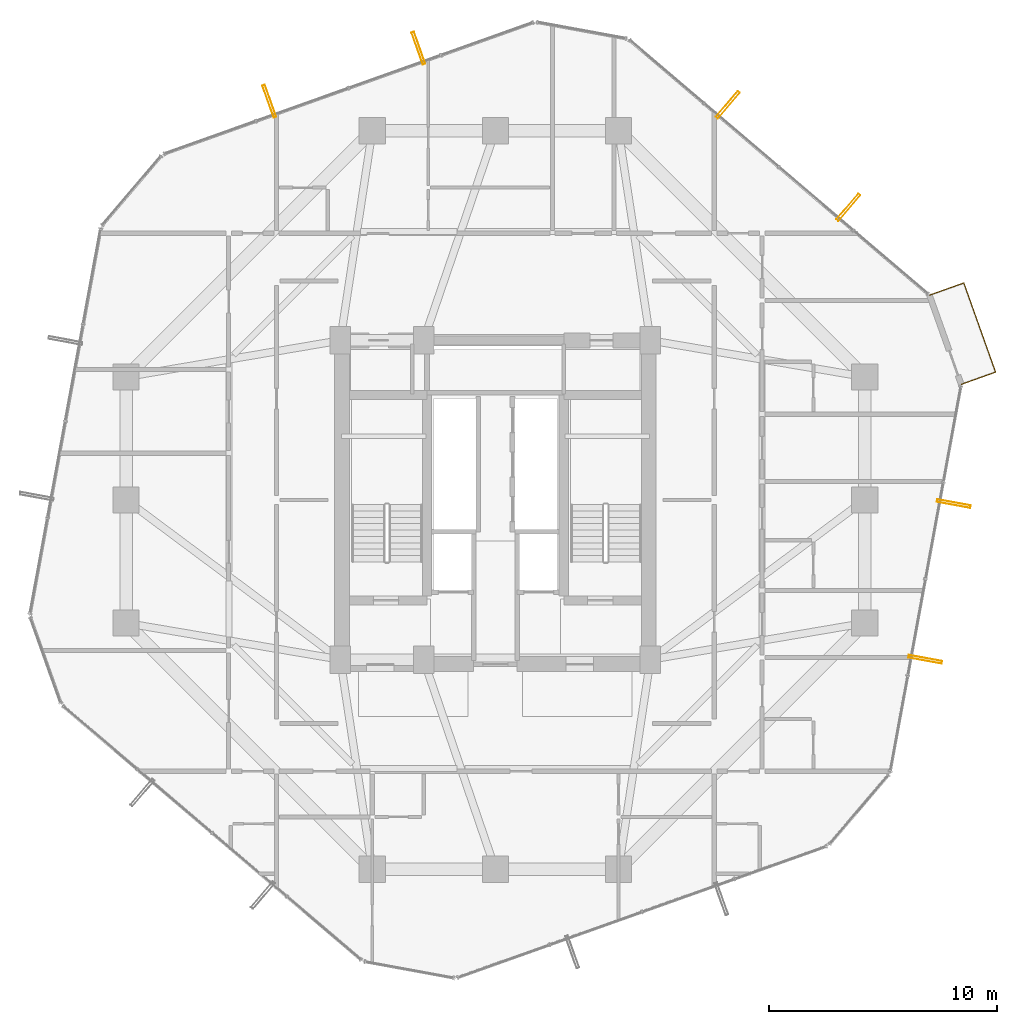
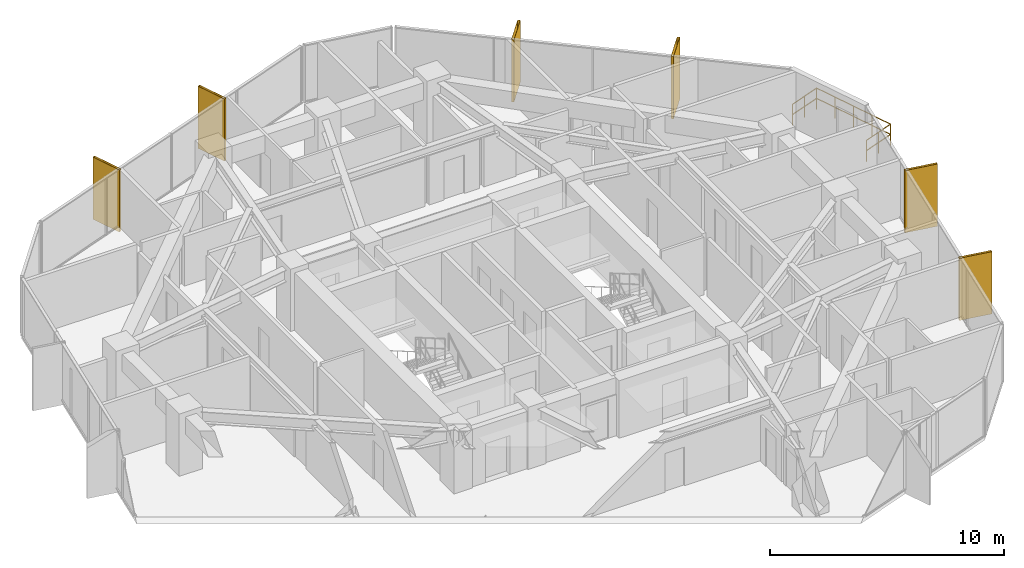
# One storey, part 33 of 33: 6 shading devices, 1 railing.
"""IFC4 building model written with IfcOpenShell, lengths in metres."""

from ifc_helpers import new_model, si_unit, direction, frame, origin, origin_2d, place, context, subcontext, project, spatial, hollow_rectangle, circle, extrude, material, material_profile, profile_set, type_object, element, save


model = new_model("IFC4")

# Units and contexts
model_context = context("Model", 3, precision=1e-05, world=origin(), true_north=direction((0.0, 1.0)))
body_context = subcontext(model_context, "Body", "Model", "MODEL_VIEW")
ifc_project = project(units=[si_unit("LENGTHUNIT", "METRE"), si_unit("AREAUNIT", "SQUARE_METRE"), si_unit("VOLUMEUNIT", "CUBIC_METRE"), si_unit("PLANEANGLEUNIT", "RADIAN"), si_unit("MASSUNIT", "GRAM", prefix="KILO")], contexts=[model_context])

# Site, building, storey
site_placement = place(None, origin())
site = spatial("IfcSite", under=ifc_project, at=site_placement, CompositionType="ELEMENT")
building_placement = place(site_placement, origin())
building = spatial("IfcBuilding", under=site, at=building_placement, Name="Veraguas Prism Commons", CompositionType="ELEMENT")
storey_placement = place(building_placement, frame((0.0, 0.0, 92.699951171875)))
storey = spatial("IfcBuildingStorey", under=building, at=storey_placement, Name="L25", CompositionType="ELEMENT", Elevation=92.699951171875)

# Shading devices
ifc_material_1 = material(Name="Anodised aluminium EN AW-6063 T6", Category="aluminium")
ifc_material_profile = material_profile(ifc_material_1, hollow_rectangle(XDim=0.1201171875, YDim=1.489990234375, WallThickness=0.006103515625, at=origin_2d()), Name="FIN120X1490X6")
ifc_profile_set = profile_set([ifc_material_profile], Name="Anodised aluminium EN AW-6063 T6")
shading_device_type = type_object("IfcShadingDeviceType", Name="Deep Pale-Metal Vertical Solar Fin 120x1490", PredefinedType="USERDEFINED", material=ifc_profile_set)
for number, where, z_axis, x_axis, name in (
    (1, (39.480712890625, 36.834716796875, -0.22998046875), (0.0, 0.0, 1.0), (-0.761540569897, 0.648117242789, 0.0), "Vertical Pale-Metal Solar Fin L25-F1A"),
    (2, (34.1943359375, 41.333740234375, -0.22998046875), (0.0, 0.0, 1.0), (-0.761540569897, 0.648117242789, 0.0), "Vertical Pale-Metal Solar Fin L25-F1B"),
    (3, (20.625244140625, 43.82421875, -0.22998046875), (0.0, 0.0, 1.0), (-0.942056281835, -0.335454858149, 0.0), "Vertical Pale-Metal Solar Fin L25-F2A"),
    (4, (14.085693359375, 41.49560546875, -0.22998046875), (0.0, 0.0, 1.0), (-0.942056281835, -0.335454858149, 0.0), "Vertical Pale-Metal Solar Fin L25-F2B"),
    (5, (42.85546875, 17.010498046875, -0.22998046875), (0.0, 0.0, 1.0), (0.180520861906, 0.983571155747, 0.0), "Vertical Pale-Metal Solar Fin L25-F6A"),
    (6, (44.108642578125, 23.838134765625, -0.22998046875), (0.0, 0.0, 1.0), (0.180520861906, 0.983571155747, 0.0), "Vertical Pale-Metal Solar Fin L25-F6B"),
):
    element("IfcShadingDevice", number, at=place(storey_placement, frame(where, z_axis=z_axis, x_axis=x_axis)), inside=storey, type_object=shading_device_type, Name=name, ObjectType="FIN", PredefinedType="USERDEFINED", context=body_context, shape_type="SweptSolid", body=[
        extrude(hollow_rectangle(XDim=0.1201171875, YDim=1.489990234375, WallThickness=0.006103515625, at=origin_2d()), origin(), (0.0, 0.0, 1.0), 3.25),
    ])

# Railing
ifc_material_2 = material(Name="Stainless steel AISI 316", Category="steel")
railing_type = type_object("IfcRailingType", Name="Loggia and Sky Pool Glazed Balustrade 1120", PredefinedType="BALUSTRADE", material=ifc_material_2)
railing_placement = place(storey_placement, frame((44.43359375, 29.07177734375, 0.0)))
element("IfcRailing", 7, at=railing_placement, inside=storey, type_object=railing_type, Name="Recessed Corner Loggia L25-C1 Guard", PredefinedType="BALUSTRADE", context=body_context, shape_type="SweptSolid", body=[
    extrude(circle(Radius=0.02392578125, at=origin_2d()), frame((0.0, 0.0, 1.09619140625), z_axis=(0.942079752962, 0.335388936996, 0.0), x_axis=(-0.335388936996, 0.942079752962, 0.0)), (0.0, 0.0, 1.0), 1.60009765625),
    extrude(circle(Radius=0.02392578125, at=origin_2d()), frame((0.0, 0.0, 0.56005859375), z_axis=(0.942079752962, 0.335388936996, 0.0), x_axis=(-0.335388936996, 0.942079752962, 0.0)), (0.0, 0.0, 1.0), 1.60009765625),
    extrude(circle(Radius=0.02392578125, at=origin_2d()), frame((1.50732421875, 0.53662109375, 1.09619140625), z_axis=(-0.335420168688, 0.942068633613, 0.0), x_axis=(-0.942068633613, -0.335420168688, 0.0)), (0.0, 0.0, 1.0), 4.153076171875),
    extrude(circle(Radius=0.02392578125, at=origin_2d()), frame((1.50732421875, 0.53662109375, 0.56005859375), z_axis=(-0.335420168688, 0.942068633613, 0.0), x_axis=(-0.942068633613, -0.335420168688, 0.0)), (0.0, 0.0, 1.0), 4.153076171875),
    extrude(circle(Radius=0.02392578125, at=origin_2d()), frame((0.1142578125, 4.44921875, 1.09619140625), z_axis=(-0.942079752962, -0.335388936996, 0.0), x_axis=(0.335388936996, -0.942079752962, 0.0)), (0.0, 0.0, 1.0), 1.60009765625),
    extrude(circle(Radius=0.02392578125, at=origin_2d()), frame((0.1142578125, 4.44921875, 0.56005859375), z_axis=(-0.942079752962, -0.335388936996, 0.0), x_axis=(0.335388936996, -0.942079752962, 0.0)), (0.0, 0.0, 1.0), 1.60009765625),
    extrude(circle(Radius=0.02099609375, at=origin_2d()), origin(), (0.0, 0.0, 1.0), 1.072021484375),
    extrude(circle(Radius=0.02099609375, at=origin_2d()), frame((0.753662109375, 0.268310546875, 0.0)), (0.0, 0.0, 1.0), 1.072021484375),
    extrude(circle(Radius=0.02099609375, at=origin_2d()), frame((1.50732421875, 0.53662109375, 0.0)), (0.0, 0.0, 1.0), 1.072021484375),
    extrude(circle(Radius=0.02099609375, at=origin_2d()), frame((1.1591796875, 1.5146484375, 0.0)), (0.0, 0.0, 1.0), 1.072021484375),
    extrude(circle(Radius=0.02099609375, at=origin_2d()), frame((0.810791015625, 2.492919921875, 0.0)), (0.0, 0.0, 1.0), 1.072021484375),
    extrude(circle(Radius=0.02099609375, at=origin_2d()), frame((0.46240234375, 3.47119140625, 0.0)), (0.0, 0.0, 1.0), 1.072021484375),
    extrude(circle(Radius=0.02099609375, at=origin_2d()), frame((0.1142578125, 4.44921875, 0.0)), (0.0, 0.0, 1.0), 1.072021484375),
    extrude(circle(Radius=0.02099609375, at=origin_2d()), frame((-0.639404296875, 4.180908203125, 0.0)), (0.0, 0.0, 1.0), 1.072021484375),
    extrude(circle(Radius=0.02099609375, at=origin_2d()), frame((-1.39306640625, 3.91259765625, 0.0)), (0.0, 0.0, 1.0), 1.072021484375),
])

save(model, "model.ifc")
